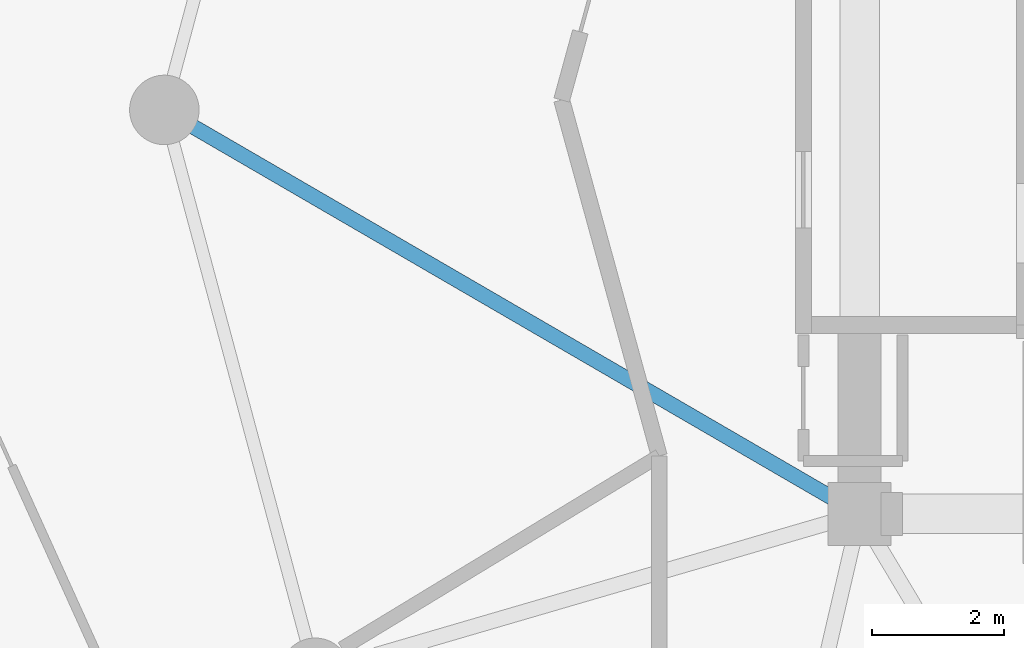
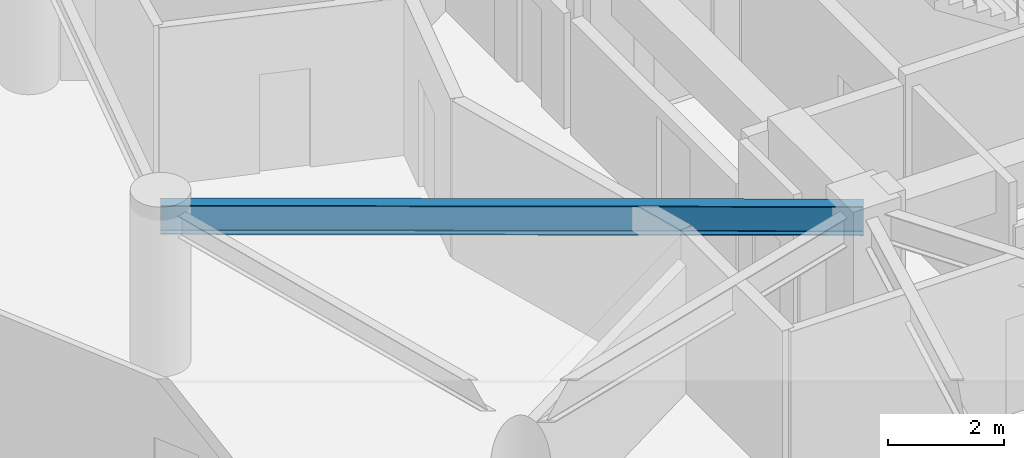
# One storey, part 7 of 26: 1 beam.
"""IFC4 building model written with IfcOpenShell, lengths in metres."""

from ifc_helpers import new_model, si_unit, direction, frame, origin, origin_2d, place, context, subcontext, project, spatial, i_section, extrude, material, material_profile, profile_set, type_object, element, save


model = new_model("IFC4")

# Units and contexts
model_context = context("Model", 3, precision=1e-05, world=origin(), true_north=direction((0.0, 1.0)))
body_context = subcontext(model_context, "Body", "Model", "MODEL_VIEW")
ifc_project = project(units=[si_unit("LENGTHUNIT", "METRE"), si_unit("AREAUNIT", "SQUARE_METRE"), si_unit("VOLUMEUNIT", "CUBIC_METRE"), si_unit("PLANEANGLEUNIT", "RADIAN"), si_unit("MASSUNIT", "GRAM", prefix="KILO")], contexts=[model_context])

# Site, building, storey
site_placement = place(None, origin())
site = spatial("IfcSite", under=ifc_project, at=site_placement, CompositionType="ELEMENT")
building_placement = place(site_placement, origin())
building = spatial("IfcBuilding", under=site, at=building_placement, Name="Solvirekh Grand Hotel", CompositionType="ELEMENT")
storey_placement = place(building_placement, frame((0.0, 0.0, 113.39990234375)))
storey = spatial("IfcBuildingStorey", under=building, at=storey_placement, Name="L28", CompositionType="ELEMENT", Elevation=113.39990234375)

# Beam
ifc_material = material(Name="Steel S355", Category="steel")
ifc_material_profile = material_profile(ifc_material, i_section(OverallWidth=0.22802734375, OverallDepth=0.616943359375, WebThickness=0.012939453125, FlangeThickness=0.02001953125, FilletRadius=0.014892578125, at=origin_2d()), Name="W610X140")
ifc_profile_set = profile_set([ifc_material_profile], Name="Steel S355")
beam_type = type_object("IfcBeamType", Name="Beam_Radial_W610", PredefinedType="BEAM", material=ifc_profile_set)
beam_placement = place(storey_placement, frame((-6.5, -6.10009765625, 3.0419921875), z_axis=(-0.864670076815, 0.50234018181, 0.0), x_axis=(-0.50234018181, -0.864670076815, 0.0)))
element("IfcBeam", 1, at=beam_placement, inside=storey, type_object=beam_type, Name="L28 radial floor beam R07", PredefinedType="BEAM", context=body_context, shape_type="SweptSolid", body=[
    extrude(i_section(OverallWidth=0.22802734375, OverallDepth=0.616943359375, WebThickness=0.012939453125, FlangeThickness=0.02001953125, FilletRadius=0.014892578125, at=origin_2d()), origin(), (0.0, 0.0, 1.0), 12.143310546875),
])

save(model, "model.ifc")
